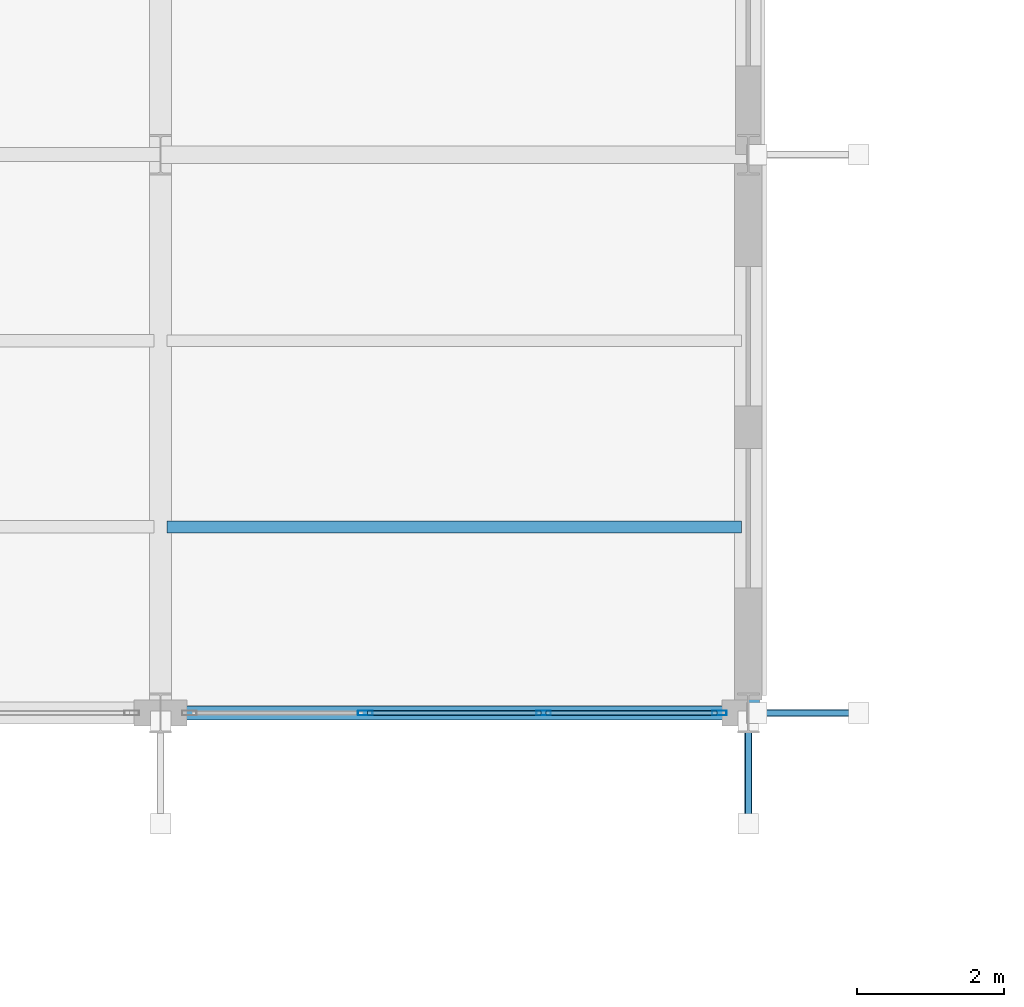
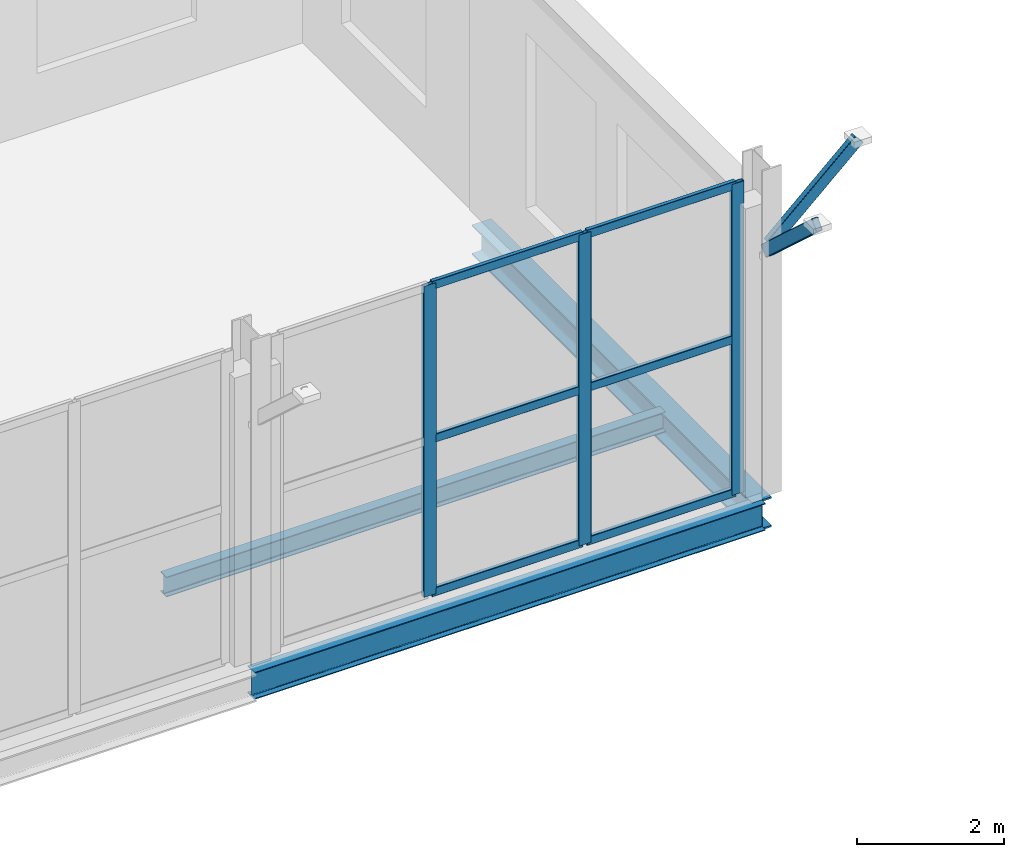
# One storey, part 75 of 147: 11 members, 3 beams, 1 element without a shape of its own.
"""IFC4 building model written with IfcOpenShell, lengths in metres."""

from ifc_helpers import new_model, si_unit, direction, frame, origin, origin_2d, place, context, subcontext, project, spatial, hollow_rectangle, i_section, extrude, material, layer, layer_set, material_profile, profile_set, type_object, element, aggregate, save


model = new_model("IFC4")

# Units and contexts
model_context = context("Model", 3, precision=1e-05, world=origin(), true_north=direction((0.0, 1.0)))
body_context = subcontext(model_context, "Body", "Model", "MODEL_VIEW")
ifc_project = project(units=[si_unit("LENGTHUNIT", "METRE"), si_unit("AREAUNIT", "SQUARE_METRE"), si_unit("VOLUMEUNIT", "CUBIC_METRE"), si_unit("PLANEANGLEUNIT", "RADIAN"), si_unit("MASSUNIT", "GRAM", prefix="KILO")], contexts=[model_context])

# Site, building, storey
site_placement = place(None, origin())
site = spatial("IfcSite", under=ifc_project, at=site_placement, CompositionType="ELEMENT")
building_placement = place(site_placement, origin())
building = spatial("IfcBuilding", under=site, at=building_placement, Name="Vekula Escarpment Museum", CompositionType="ELEMENT")
storey_placement = place(building_placement, frame((0.0, 0.0, 7.800048828125)))
storey = spatial("IfcBuildingStorey", under=building, at=storey_placement, Name="L02", CompositionType="ELEMENT", Elevation=7.800048828125)

# Beams
ifc_material_1 = material(Name="Steel S355", Category="steel")
ifc_material_profile_1 = material_profile(ifc_material_1, i_section(OverallWidth=0.300048828125, OverallDepth=0.5, WebThickness=0.014404296875, FlangeThickness=0.028076171875, FilletRadius=0.027099609375, at=origin_2d()), Name="HEB 500")
ifc_profile_set_1 = profile_set([ifc_material_profile_1], Name="Steel S355")
beam_type_1 = type_object("IfcBeamType", Name="BM-GIRD-HEB500", PredefinedType="BEAM", material=ifc_profile_set_1)
beam_1_placement = place(storey_placement, frame((118.0, 120.800048828125, -0.510009765625), z_axis=(0.0, 1.0, 0.0), x_axis=(-1.0, 0.0, 0.0)))
element("IfcBeam", 1, at=beam_1_placement, inside=storey, type_object=beam_type_1, Name="Beam Y L02 1201", PredefinedType="BEAM", context=body_context, shape_type="SweptSolid", body=[
    extrude(i_section(OverallWidth=0.300048828125, OverallDepth=0.5, WebThickness=0.014404296875, FlangeThickness=0.028076171875, FilletRadius=0.027099609375, at=origin_2d()), origin(), (0.0, 0.0, 1.0), 7.599853515625),
])
ifc_material_2 = material(Name="Steel S355", Category="steel")
ifc_material_profile_2 = material_profile(ifc_material_2, i_section(OverallWidth=0.18994140625, OverallDepth=0.449951171875, WebThickness=0.009521484375, FlangeThickness=0.0146484375, FilletRadius=0.02099609375, at=origin_2d()), Name="IPE 450")
ifc_profile_set_2 = profile_set([ifc_material_profile_2], Name="Steel S355")
beam_type_2 = type_object("IfcBeamType", Name="BM-GIRD-IPE450", PredefinedType="BEAM", material=ifc_profile_set_2)
beam_2_placement = place(storey_placement, frame((110.0, 120.800048828125, -0.485107421875), z_axis=(1.0, 0.0, 0.0), x_axis=(0.0, 1.0, 0.0)))
element("IfcBeam", 2, at=beam_2_placement, inside=storey, type_object=beam_type_2, Name="Beam X L02 0992", PredefinedType="BEAM", context=body_context, shape_type="SweptSolid", body=[
    extrude(i_section(OverallWidth=0.18994140625, OverallDepth=0.449951171875, WebThickness=0.009521484375, FlangeThickness=0.0146484375, FilletRadius=0.02099609375, at=origin_2d()), origin(), (0.0, 0.0, 1.0), 8.0),
])
ifc_material_3 = material(Name="Steel S355", Category="steel")
ifc_material_profile_3 = material_profile(ifc_material_3, i_section(OverallWidth=0.159912109375, OverallDepth=0.330078125, WebThickness=0.007568359375, FlangeThickness=0.011474609375, FilletRadius=0.01806640625, at=origin_2d()), Name="IPE 330")
ifc_profile_set_3 = profile_set([ifc_material_profile_3], Name="Steel S355")
beam_type_3 = type_object("IfcBeamType", Name="BM-JST-IPE330", PredefinedType="JOIST", material=ifc_profile_set_3)
beam_3_placement = place(storey_placement, frame((110.090087890625, 123.333251953125, -0.425048828125), z_axis=(1.0, 0.0, 0.0), x_axis=(0.0, 1.0, 0.0)))
element("IfcBeam", 3, at=beam_3_placement, inside=storey, type_object=beam_type_3, Name="Secondary Joist L02 0814", PredefinedType="JOIST", context=body_context, shape_type="SweptSolid", body=[
    extrude(i_section(OverallWidth=0.159912109375, OverallDepth=0.330078125, WebThickness=0.007568359375, FlangeThickness=0.011474609375, FilletRadius=0.01806640625, at=origin_2d()), origin(), (0.0, 0.0, 1.0), 7.81982421875),
])

# Curtain wall, members
ifc_material_4 = material(Name="Aluminium thermally broken framing", Category="aluminium")
ifc_layer = layer(ifc_material_4, 0.199951171875)
ifc_layer_set = layer_set([ifc_layer], Name="Aluminium thermally broken framing")
curtain_wall_type = type_object("IfcCurtainWallType", Name="CW-SYS-04", PredefinedType="NOTDEFINED", material=ifc_layer_set)
curtain_wall_placement = place(storey_placement, origin())
curtain_wall = element("IfcCurtainWall", 4, at=curtain_wall_placement, inside=storey, type_object=curtain_wall_type, Name="Curtain Wall CW-L02-084", PredefinedType="NOTDEFINED")
ifc_material_5 = material(Name="Aluminium anodized mullion", Category="aluminium")
ifc_material_profile_4 = material_profile(ifc_material_5, hollow_rectangle(XDim=0.06494140625, YDim=0.199951171875, WallThickness=0.00390625, InnerFilletRadius=0.00390625, OuterFilletRadius=0.008056640625, at=origin_2d()), Name="ALU 200x65x4")
ifc_profile_set_4 = profile_set([ifc_material_profile_4], Name="Aluminium anodized mullion")
member_type_1 = type_object("IfcMemberType", Name="CW-MUL-200", PredefinedType="MULLION", material=ifc_profile_set_4)
member_1_placement = place(storey_placement, frame((112.78662109375, 120.800048828125, 0.0), z_axis=(0.0, 0.0, 1.0), x_axis=(0.0, 1.0, 0.0)))
member_1 = element("IfcMember", 5, at=member_1_placement, type_object=member_type_1, Name="CW-04 mullion 2", PredefinedType="MULLION", context=body_context, shape_type="SweptSolid", body=[
    extrude(hollow_rectangle(XDim=0.06494140625, YDim=0.199951171875, WallThickness=0.00390625, InnerFilletRadius=0.00390625, OuterFilletRadius=0.008056640625, at=origin_2d()), origin(), (0.0, 0.0, 1.0), 5.14990234375),
])
member_2_placement = place(storey_placement, frame((115.21337890625, 120.800048828125, 0.0), z_axis=(0.0, 0.0, 1.0), x_axis=(0.0, 1.0, 0.0)))
member_2 = element("IfcMember", 6, at=member_2_placement, type_object=member_type_1, Name="CW-04 mullion 3", PredefinedType="MULLION", context=body_context, shape_type="SweptSolid", body=[
    extrude(hollow_rectangle(XDim=0.06494140625, YDim=0.199951171875, WallThickness=0.00390625, InnerFilletRadius=0.00390625, OuterFilletRadius=0.008056640625, at=origin_2d()), origin(), (0.0, 0.0, 1.0), 5.14990234375),
])
member_3_placement = place(storey_placement, frame((117.607421875, 120.800048828125, 0.0), z_axis=(0.0, 0.0, 1.0), x_axis=(0.0, 1.0, 0.0)))
member_3 = element("IfcMember", 7, at=member_3_placement, type_object=member_type_1, Name="CW-04 mullion 4", PredefinedType="MULLION", context=body_context, shape_type="SweptSolid", body=[
    extrude(hollow_rectangle(XDim=0.06494140625, YDim=0.199951171875, WallThickness=0.00390625, InnerFilletRadius=0.00390625, OuterFilletRadius=0.008056640625, at=origin_2d()), origin(), (0.0, 0.0, 1.0), 5.14990234375),
])
ifc_material_6 = material(Name="Aluminium anodized transom", Category="aluminium")
ifc_material_profile_5 = material_profile(ifc_material_6, hollow_rectangle(XDim=0.06494140625, YDim=0.139892578125, WallThickness=0.00390625, InnerFilletRadius=0.00390625, OuterFilletRadius=0.008056640625, at=origin_2d()), Name="ALU 140x65x4")
ifc_profile_set_5 = profile_set([ifc_material_profile_5], Name="Aluminium anodized transom")
member_type_2 = type_object("IfcMemberType", Name="CW-TRN-140", PredefinedType="USERDEFINED", material=ifc_profile_set_5)
member_4_placement = place(storey_placement, frame((112.819091796875, 120.800048828125, 0.032470703125), z_axis=(1.0, 0.0, 0.0), x_axis=(0.0, 1.0, 0.0)))
member_4 = element("IfcMember", 8, at=member_4_placement, type_object=member_type_2, Name="CW-04 transom 2.1", ObjectType="TRANSOM", PredefinedType="USERDEFINED", context=body_context, shape_type="SweptSolid", body=[
    extrude(hollow_rectangle(XDim=0.06494140625, YDim=0.139892578125, WallThickness=0.00390625, InnerFilletRadius=0.00390625, OuterFilletRadius=0.008056640625, at=origin_2d()), origin(), (0.0, 0.0, 1.0), 2.36181640625),
])
member_5_placement = place(storey_placement, frame((112.819091796875, 120.800048828125, 2.574951171875), z_axis=(1.0, 0.0, 0.0), x_axis=(0.0, 1.0, 0.0)))
member_5 = element("IfcMember", 9, at=member_5_placement, type_object=member_type_2, Name="CW-04 transom 2.2", ObjectType="TRANSOM", PredefinedType="USERDEFINED", context=body_context, shape_type="SweptSolid", body=[
    extrude(hollow_rectangle(XDim=0.06494140625, YDim=0.139892578125, WallThickness=0.00390625, InnerFilletRadius=0.00390625, OuterFilletRadius=0.008056640625, at=origin_2d()), origin(), (0.0, 0.0, 1.0), 2.36181640625),
])
member_6_placement = place(storey_placement, frame((112.819091796875, 120.800048828125, 5.117431640625), z_axis=(1.0, 0.0, 0.0), x_axis=(0.0, 1.0, 0.0)))
member_6 = element("IfcMember", 10, at=member_6_placement, type_object=member_type_2, Name="CW-04 transom 2.3", ObjectType="TRANSOM", PredefinedType="USERDEFINED", context=body_context, shape_type="SweptSolid", body=[
    extrude(hollow_rectangle(XDim=0.06494140625, YDim=0.139892578125, WallThickness=0.00390625, InnerFilletRadius=0.00390625, OuterFilletRadius=0.008056640625, at=origin_2d()), origin(), (0.0, 0.0, 1.0), 2.36181640625),
])
member_7_placement = place(storey_placement, frame((115.245849609375, 120.800048828125, 0.032470703125), z_axis=(1.0, 0.0, 0.0), x_axis=(0.0, 1.0, 0.0)))
member_7 = element("IfcMember", 11, at=member_7_placement, type_object=member_type_2, Name="CW-04 transom 3.1", ObjectType="TRANSOM", PredefinedType="USERDEFINED", context=body_context, shape_type="SweptSolid", body=[
    extrude(hollow_rectangle(XDim=0.06494140625, YDim=0.139892578125, WallThickness=0.00390625, InnerFilletRadius=0.00390625, OuterFilletRadius=0.008056640625, at=origin_2d()), origin(), (0.0, 0.0, 1.0), 2.3291015625),
])
member_8_placement = place(storey_placement, frame((115.245849609375, 120.800048828125, 2.574951171875), z_axis=(1.0, 0.0, 0.0), x_axis=(0.0, 1.0, 0.0)))
member_8 = element("IfcMember", 12, at=member_8_placement, type_object=member_type_2, Name="CW-04 transom 3.2", ObjectType="TRANSOM", PredefinedType="USERDEFINED", context=body_context, shape_type="SweptSolid", body=[
    extrude(hollow_rectangle(XDim=0.06494140625, YDim=0.139892578125, WallThickness=0.00390625, InnerFilletRadius=0.00390625, OuterFilletRadius=0.008056640625, at=origin_2d()), origin(), (0.0, 0.0, 1.0), 2.3291015625),
])
member_9_placement = place(storey_placement, frame((115.245849609375, 120.800048828125, 5.117431640625), z_axis=(1.0, 0.0, 0.0), x_axis=(0.0, 1.0, 0.0)))
member_9 = element("IfcMember", 13, at=member_9_placement, type_object=member_type_2, Name="CW-04 transom 3.3", ObjectType="TRANSOM", PredefinedType="USERDEFINED", context=body_context, shape_type="SweptSolid", body=[
    extrude(hollow_rectangle(XDim=0.06494140625, YDim=0.139892578125, WallThickness=0.00390625, InnerFilletRadius=0.00390625, OuterFilletRadius=0.008056640625, at=origin_2d()), origin(), (0.0, 0.0, 1.0), 2.3291015625),
])
aggregate(curtain_wall, [member_1, member_2, member_3, member_4, member_5, member_6, member_7, member_8, member_9])

# Members
ifc_material_7 = material(Name="Steel S355", Category="steel")
ifc_material_profile_6 = material_profile(ifc_material_7, hollow_rectangle(XDim=0.10009765625, YDim=0.199951171875, WallThickness=0.008056640625, InnerFilletRadius=0.008056640625, OuterFilletRadius=0.01611328125, at=origin_2d()), Name="RHS 200x100x8")
ifc_profile_set_6 = profile_set([ifc_material_profile_6], Name="Steel S355")
member_type_3 = type_object("IfcMemberType", Name="MB-SACAK-BRK", PredefinedType="STRUT", material=ifc_profile_set_6)
for number, where, z_axis, x_axis, name in (
    (14, (118.1201171875, 120.800048828125, 3.949951171875), (0.738454378718, 0.0, 0.674303441006), (0.0, 1.0, 0.0), "Ottoman Sacak Eave Bracket L03-0077"),
    (15, (118.0, 120.679931640625, 3.949951171875), (0.0, -0.738454378718, 0.674303441006), (1.0, 0.0, 0.0), "Ottoman Sacak Eave Bracket L03-0078"),
):
    element("IfcMember", number, at=place(storey_placement, frame(where, z_axis=z_axis, x_axis=x_axis)), inside=storey, type_object=member_type_3, Name=name, PredefinedType="STRUT", context=body_context, shape_type="SweptSolid", body=[
        extrude(hollow_rectangle(XDim=0.10009765625, YDim=0.199951171875, WallThickness=0.008056640625, InnerFilletRadius=0.008056640625, OuterFilletRadius=0.01611328125, at=origin_2d()), origin(), (0.0, 0.0, 1.0), 1.86865234375),
    ])

save(model, "model.ifc")
